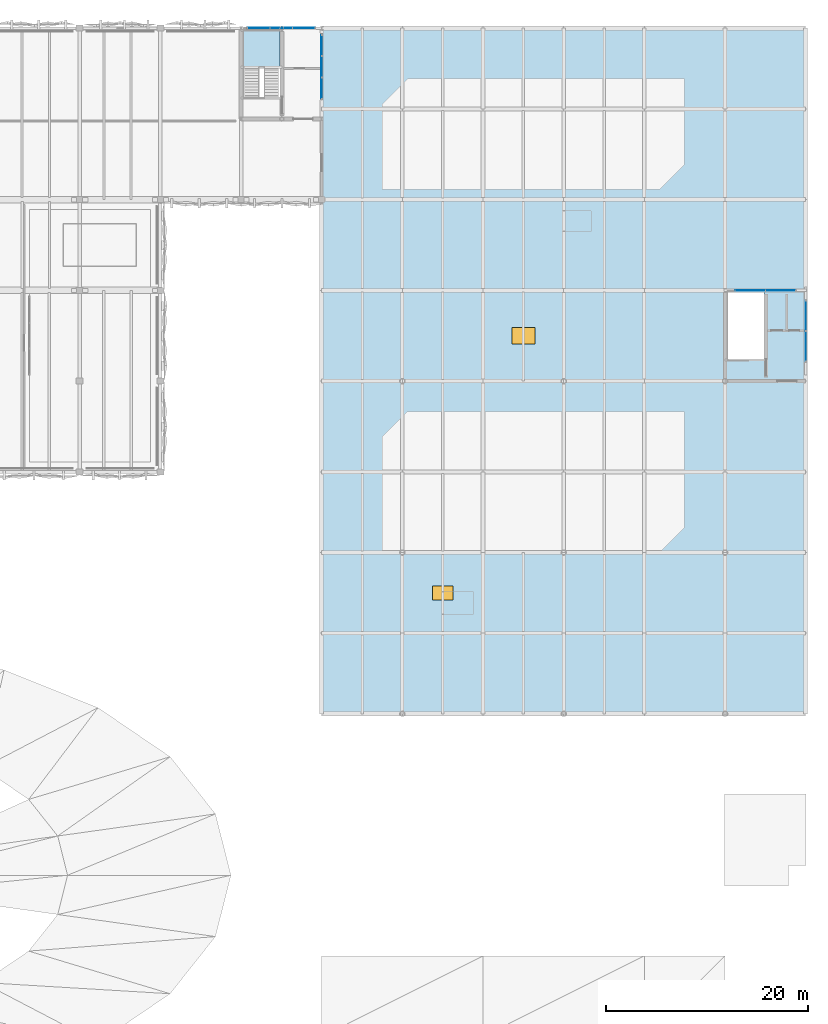
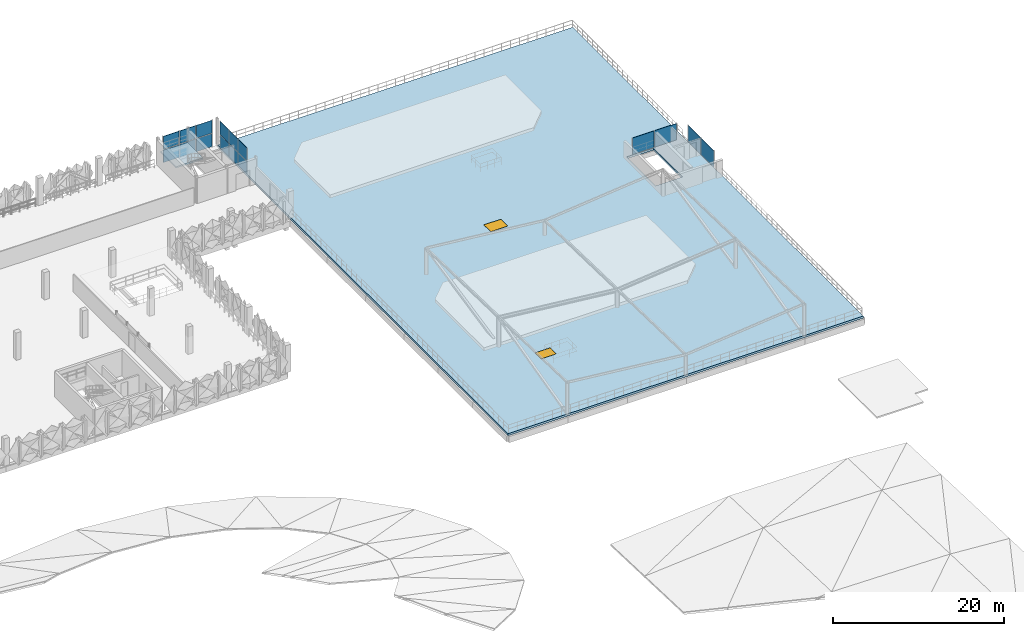
# One storey, part 23 of 52: 16 plates, 2 slabs, 2 windows, 2 openings, 5 elements without a shape of their own.
"""IFC4 building model written with IfcOpenShell, lengths in metres."""

from ifc_helpers import new_model, si_unit, derived_unit, direction, frame, origin, origin_2d, place, context, subcontext, project, spatial, polyline, rectangle, outline, extrude, material, layer, layer_set, type_object, element, fill, aggregate, save


model = new_model("IFC4")

# Units and contexts
model_context = context("Model", 3, precision=1e-05, world=origin(), true_north=direction((0.0, 1.0)))
body_context = subcontext(model_context, "Body", "Model", "MODEL_VIEW")
ifc_project = project(units=[si_unit("LENGTHUNIT", "METRE"), si_unit("AREAUNIT", "SQUARE_METRE"), si_unit("VOLUMEUNIT", "CUBIC_METRE"), si_unit("PLANEANGLEUNIT", "RADIAN"), si_unit("MASSUNIT", "GRAM", prefix="KILO"), si_unit("THERMODYNAMICTEMPERATUREUNIT", "KELVIN"), derived_unit("THERMALTRANSMITTANCEUNIT", [(si_unit("POWERUNIT", "WATT"), 1), (si_unit("AREAUNIT", "SQUARE_METRE"), -1), (si_unit("THERMODYNAMICTEMPERATUREUNIT", "KELVIN"), -1)])], contexts=[model_context])

# Site, building, storey
site_placement = place(None, origin())
site = spatial("IfcSite", under=ifc_project, at=site_placement, CompositionType="ELEMENT")
building_placement = place(site_placement, origin())
building = spatial("IfcBuilding", under=site, at=building_placement, Name="Haiyu Intermodal Mobility Hub", CompositionType="ELEMENT")
storey_placement = place(building_placement, frame((0.0, 0.0, 21.199951171875)))
storey = spatial("IfcBuildingStorey", under=building, at=storey_placement, Name="L05", CompositionType="ELEMENT", Elevation=21.199951171875)

# Curtain wall, plates
ifc_material_1 = material(Name="Low-e laminated insulating glass", Category="glass")
ifc_layer_1 = layer(ifc_material_1, 0.199951171875)
ifc_layer_set_1 = layer_set([ifc_layer_1], Name="Low-e laminated insulating glass")
curtain_wall_type = type_object("IfcCurtainWallType", Name="CW-CW03", PredefinedType="NOTDEFINED", material=ifc_layer_set_1)
curtain_wall_1_placement = place(storey_placement, origin())
curtain_wall_1 = element("IfcCurtainWall", 1, at=curtain_wall_1_placement, inside=storey, type_object=curtain_wall_type, Name="Curtain Wall CW-C4N-L05-073", PredefinedType="NOTDEFINED")
ifc_layer_2 = layer(ifc_material_1, 0.0400390625)
ifc_layer_set_2 = layer_set([ifc_layer_2], Name="Low-e laminated insulating glass")
plate_type_1 = type_object("IfcPlateType", Name="PLT-CP03", PredefinedType="CURTAIN_PANEL", material=ifc_layer_set_2)
plate_1_placement = place(storey_placement, frame((160.22705078125, 148.0, 0.03515625), z_axis=(0.0, 0.0, 1.0), x_axis=(-1.0, 0.0, 0.0)))
plate_1 = element("IfcPlate", 2, at=plate_1_placement, type_object=plate_type_1, Name="CW-C4N-L05-073-PN01", PredefinedType="CURTAIN_PANEL", context=body_context, shape_type="SweptSolid", body=[
    extrude(rectangle(XDim=2.136962890625, YDim=0.0400390625, at=origin_2d()), origin(), (0.0, 0.0, 1.0), 1.840087890625),
])
plate_2_placement = place(storey_placement, frame((158.0, 148.0, 0.03515625), z_axis=(0.0, 0.0, 1.0), x_axis=(-1.0, 0.0, 0.0)))
plate_2 = element("IfcPlate", 3, at=plate_2_placement, type_object=plate_type_1, Name="CW-C4N-L05-073-PN03", PredefinedType="CURTAIN_PANEL", context=body_context, shape_type="SweptSolid", body=[
    extrude(rectangle(XDim=2.136962890625, YDim=0.0400390625, at=origin_2d()), origin(), (0.0, 0.0, 1.0), 1.840087890625),
])
plate_3_placement = place(storey_placement, frame((155.77294921875, 148.0, 0.03515625), z_axis=(0.0, 0.0, 1.0), x_axis=(-1.0, 0.0, 0.0)))
plate_3 = element("IfcPlate", 4, at=plate_3_placement, type_object=plate_type_1, Name="CW-C4N-L05-073-PN05", PredefinedType="CURTAIN_PANEL", context=body_context, shape_type="SweptSolid", body=[
    extrude(rectangle(XDim=2.136962890625, YDim=0.0400390625, at=origin_2d()), origin(), (0.0, 0.0, 1.0), 1.840087890625),
])

curtain_wall_2_placement = place(storey_placement, origin())
curtain_wall_2 = element("IfcCurtainWall", 5, at=curtain_wall_2_placement, inside=storey, type_object=curtain_wall_type, Name="Curtain Wall CW-C4S-L05-074", PredefinedType="NOTDEFINED")
plate_4_placement = place(storey_placement, frame((162.0, 142.048095703125, 0.03515625), z_axis=(0.0, 0.0, 1.0), x_axis=(0.0, 1.0, 0.0)))
plate_4 = element("IfcPlate", 6, at=plate_4_placement, type_object=plate_type_1, Name="CW-C4S-L05-074-PN01", PredefinedType="CURTAIN_PANEL", context=body_context, shape_type="SweptSolid", body=[
    extrude(rectangle(XDim=2.027099609375, YDim=0.0400390625, at=origin_2d()), origin(), (0.0, 0.0, 1.0), 1.840087890625),
])
plate_5_placement = place(storey_placement, frame((162.0, 144.1650390625, 0.03515625), z_axis=(0.0, 0.0, 1.0), x_axis=(0.0, 1.0, 0.0)))
plate_5 = element("IfcPlate", 7, at=plate_5_placement, type_object=plate_type_1, Name="CW-C4S-L05-074-PN03", PredefinedType="CURTAIN_PANEL", context=body_context, shape_type="SweptSolid", body=[
    extrude(rectangle(XDim=2.027099609375, YDim=0.0400390625, at=origin_2d()), origin(), (0.0, 0.0, 1.0), 1.840087890625),
])
plate_6_placement = place(storey_placement, frame((162.0, 146.281982421875, 0.03515625), z_axis=(0.0, 0.0, 1.0), x_axis=(0.0, 1.0, 0.0)))
plate_6 = element("IfcPlate", 8, at=plate_6_placement, type_object=plate_type_1, Name="CW-C4S-L05-074-PN05", PredefinedType="CURTAIN_PANEL", context=body_context, shape_type="SweptSolid", body=[
    extrude(rectangle(XDim=2.027099609375, YDim=0.0400390625, at=origin_2d()), origin(), (0.0, 0.0, 1.0), 1.840087890625),
])

curtain_wall_3_placement = place(storey_placement, origin())
curtain_wall_3 = element("IfcCurtainWall", 9, at=curtain_wall_3_placement, inside=storey, type_object=curtain_wall_type, Name="Curtain Wall CW-CPAR-C10-E", PredefinedType="NOTDEFINED")
plate_7_placement = place(storey_placement, frame((210.0, 116.4580078125, 0.034423828125), z_axis=(0.0, 0.0, 1.0), x_axis=(0.0, 1.0, 0.0)))
plate_7 = element("IfcPlate", 10, at=plate_7_placement, type_object=plate_type_1, Name="CW-CPAR-C10-E-PN01", PredefinedType="CURTAIN_PANEL", context=body_context, shape_type="SweptSolid", body=[
    extrude(rectangle(XDim=2.945068359375, YDim=0.0400390625, at=origin_2d()), origin(), (0.0, 0.0, 1.0), 2.35107421875),
])
plate_8_placement = place(storey_placement, frame((210.0, 119.491943359375, 0.034423828125), z_axis=(0.0, 0.0, 1.0), x_axis=(0.0, 1.0, 0.0)))
plate_8 = element("IfcPlate", 11, at=plate_8_placement, type_object=plate_type_1, Name="CW-CPAR-C10-E-PN02", PredefinedType="CURTAIN_PANEL", context=body_context, shape_type="SweptSolid", body=[
    extrude(rectangle(XDim=2.945068359375, YDim=0.0400390625, at=origin_2d()), origin(), (0.0, 0.0, 1.0), 2.35107421875),
])
aggregate(curtain_wall_3, [plate_7, plate_8])

curtain_wall_4_placement = place(storey_placement, origin())
curtain_wall_4 = element("IfcCurtainWall", 12, at=curtain_wall_4_placement, inside=storey, type_object=curtain_wall_type, Name="Curtain Wall CW-CPAR-C10-N", PredefinedType="NOTDEFINED")
plate_9_placement = place(storey_placement, frame((207.5048828125, 122.0, 0.034423828125), z_axis=(0.0, 0.0, 1.0), x_axis=(-1.0, 0.0, 0.0)))
plate_9 = element("IfcPlate", 13, at=plate_9_placement, type_object=plate_type_1, Name="CW-CPAR-C10-N-PN01", PredefinedType="CURTAIN_PANEL", context=body_context, shape_type="SweptSolid", body=[
    extrude(rectangle(XDim=2.919921875, YDim=0.0400390625, at=origin_2d()), origin(), (0.0, 0.0, 1.0), 2.35107421875),
])
plate_10_placement = place(storey_placement, frame((204.4951171875, 122.0, 0.034423828125), z_axis=(0.0, 0.0, 1.0), x_axis=(-1.0, 0.0, 0.0)))
plate_10 = element("IfcPlate", 14, at=plate_10_placement, type_object=plate_type_1, Name="CW-CPAR-C10-N-PN02", PredefinedType="CURTAIN_PANEL", context=body_context, shape_type="SweptSolid", body=[
    extrude(rectangle(XDim=2.919921875, YDim=0.0400390625, at=origin_2d()), origin(), (0.0, 0.0, 1.0), 2.35107421875),
])
aggregate(curtain_wall_4, [plate_9, plate_10])

# Plate
ifc_layer_3 = layer(ifc_material_1, 0.0439453125)
ifc_layer_set_3 = layer_set([ifc_layer_3], Name="Low-e laminated insulating glass")
plate_type_2 = type_object("IfcPlateType", Name="PLT-CP04", PredefinedType="CURTAIN_PANEL", material=ifc_layer_set_3)
plate_11_placement = place(storey_placement, frame((160.22705078125, 148.0, 1.94482421875), z_axis=(0.0, 0.0, 1.0), x_axis=(-1.0, 0.0, 0.0)))
plate_11 = element("IfcPlate", 15, at=plate_11_placement, type_object=plate_type_2, Name="CW-C4N-L05-073-PN02", PredefinedType="CURTAIN_PANEL", context=body_context, shape_type="SweptSolid", body=[
    extrude(rectangle(XDim=2.136962890625, YDim=0.0439453125, at=origin_2d()), origin(), (0.0, 0.0, 1.0), 1.840087890625),
])

plate_12_placement = place(storey_placement, frame((158.0, 148.0, 1.94482421875), z_axis=(0.0, 0.0, 1.0), x_axis=(-1.0, 0.0, 0.0)))
plate_12 = element("IfcPlate", 16, at=plate_12_placement, type_object=plate_type_2, Name="CW-C4N-L05-073-PN04", PredefinedType="CURTAIN_PANEL", context=body_context, shape_type="SweptSolid", body=[
    extrude(rectangle(XDim=2.136962890625, YDim=0.0439453125, at=origin_2d()), origin(), (0.0, 0.0, 1.0), 1.840087890625),
])

plate_13_placement = place(storey_placement, frame((155.77294921875, 148.0, 1.94482421875), z_axis=(0.0, 0.0, 1.0), x_axis=(-1.0, 0.0, 0.0)))
plate_13 = element("IfcPlate", 17, at=plate_13_placement, type_object=plate_type_2, Name="CW-C4N-L05-073-PN06", PredefinedType="CURTAIN_PANEL", context=body_context, shape_type="SweptSolid", body=[
    extrude(rectangle(XDim=2.136962890625, YDim=0.0439453125, at=origin_2d()), origin(), (0.0, 0.0, 1.0), 1.840087890625),
])

aggregate(curtain_wall_1, [plate_1, plate_11, plate_2, plate_12, plate_3, plate_13])

plate_14_placement = place(storey_placement, frame((162.0, 142.048095703125, 1.94482421875), z_axis=(0.0, 0.0, 1.0), x_axis=(0.0, 1.0, 0.0)))
plate_14 = element("IfcPlate", 18, at=plate_14_placement, type_object=plate_type_2, Name="CW-C4S-L05-074-PN02", PredefinedType="CURTAIN_PANEL", context=body_context, shape_type="SweptSolid", body=[
    extrude(rectangle(XDim=2.027099609375, YDim=0.0439453125, at=origin_2d()), origin(), (0.0, 0.0, 1.0), 1.840087890625),
])

plate_15_placement = place(storey_placement, frame((162.0, 144.1650390625, 1.94482421875), z_axis=(0.0, 0.0, 1.0), x_axis=(0.0, 1.0, 0.0)))
plate_15 = element("IfcPlate", 19, at=plate_15_placement, type_object=plate_type_2, Name="CW-C4S-L05-074-PN04", PredefinedType="CURTAIN_PANEL", context=body_context, shape_type="SweptSolid", body=[
    extrude(rectangle(XDim=2.027099609375, YDim=0.0439453125, at=origin_2d()), origin(), (0.0, 0.0, 1.0), 1.840087890625),
])

plate_16_placement = place(storey_placement, frame((162.0, 146.281982421875, 1.94482421875), z_axis=(0.0, 0.0, 1.0), x_axis=(0.0, 1.0, 0.0)))
plate_16 = element("IfcPlate", 20, at=plate_16_placement, type_object=plate_type_2, Name="CW-C4S-L05-074-PN06", PredefinedType="CURTAIN_PANEL", context=body_context, shape_type="SweptSolid", body=[
    extrude(rectangle(XDim=2.027099609375, YDim=0.0439453125, at=origin_2d()), origin(), (0.0, 0.0, 1.0), 1.840087890625),
])

aggregate(curtain_wall_2, [plate_4, plate_14, plate_5, plate_15, plate_6, plate_16])

# Slab, openings, windows
ifc_material_2 = material(Name="Concrete C40", Category="concrete")
ifc_layer_4 = layer(ifc_material_2, 0.300048828125)
ifc_layer_set_4 = layer_set([ifc_layer_4], Name="Concrete C40")
slab_type_1 = type_object("IfcSlabType", Name="SLB-SL11", PredefinedType="ROOF", material=ifc_layer_set_4)
slab_1_placement = place(storey_placement, frame((0.0, 0.0, -0.300048828125)))
slab_1 = element("IfcSlab", 21, at=slab_1_placement, inside=storey, type_object=slab_type_1, Name="L05 Service Wing Planted Roof Garden Slab", PredefinedType="ROOF", context=body_context, shape_type="SweptSolid", body=[
    extrude(outline(polyline([(162.02001953125, 80.02001953125), (210.0, 80.02001953125), (210.0, 148.0), (168.0, 148.0), (162.02001953125, 148.0), (162.02001953125, 80.02001953125)]), holes=[polyline([(202.219970703125, 115.14990234375), (205.85009765625, 115.14990234375), (205.85009765625, 121.949951171875), (202.219970703125, 121.949951171875), (202.219970703125, 115.14990234375)]), polyline([(173.0, 91.300048828125), (175.0, 91.300048828125), (175.0, 92.699951171875), (173.0, 92.699951171875), (173.0, 91.300048828125)]), polyline([(180.85009765625, 116.699951171875), (183.14990234375, 116.699951171875), (183.14990234375, 118.300048828125), (180.85009765625, 118.300048828125), (180.85009765625, 116.699951171875)])]), origin(), (0.0, 0.0, 1.0), 0.300048828125),
])
opening_1_placement = place(slab_1_placement, frame((174.0, 92.0, 0.0)))
opening_1 = element("IfcOpeningElement", 22, at=opening_1_placement, cuts=slab_1, Name="Opening SK03", PredefinedType="OPENING", context=body_context, shape_type="SweptSolid", body=[
    extrude(rectangle(XDim=2.0, YDim=1.39990234375, at=origin_2d()), frame((0.0, 0.0, -0.010009765625)), (0.0, 0.0, 1.0), 0.320068359375),
])
opening_2_placement = place(slab_1_placement, frame((182.0, 117.5, 0.0)))
opening_2 = element("IfcOpeningElement", 23, at=opening_2_placement, cuts=slab_1, Name="Opening SK05", PredefinedType="OPENING", context=body_context, shape_type="SweptSolid", body=[
    extrude(rectangle(XDim=2.300048828125, YDim=1.60009765625, at=origin_2d()), frame((0.0, 0.0, -0.010009765625)), (0.0, 0.0, 1.0), 0.320068359375),
])
window_type_1 = type_object("IfcWindowType", Name="WIN-SK03", PartitioningType="SINGLE_PANEL", PredefinedType="SKYLIGHT", material=ifc_material_1)
window_1_placement = place(opening_1_placement, frame((0.0, 0.0, 0.25)))
window_1 = element("IfcWindow", 24, at=window_1_placement, inside=storey, type_object=window_type_1, Name="SKL-04", OverallHeight=1.39990234375, OverallWidth=2.0, PartitioningType="SINGLE_PANEL", PredefinedType="SKYLIGHT", context=body_context, shape_type="SweptSolid", body=[
    extrude(rectangle(XDim=2.0, YDim=1.39990234375, at=origin_2d()), origin(), (0.0, 0.0, 1.0), 0.050048828125),
])
fill(opening_1, window_1)
window_type_2 = type_object("IfcWindowType", Name="WIN-SK05", PartitioningType="SINGLE_PANEL", PredefinedType="SKYLIGHT", material=ifc_material_1)
window_2_placement = place(opening_2_placement, frame((0.0, 0.0, 0.25)))
window_2 = element("IfcWindow", 25, at=window_2_placement, inside=storey, type_object=window_type_2, Name="SKL-05", OverallHeight=1.60009765625, OverallWidth=2.300048828125, PartitioningType="SINGLE_PANEL", PredefinedType="SKYLIGHT", context=body_context, shape_type="SweptSolid", body=[
    extrude(rectangle(XDim=2.300048828125, YDim=1.60009765625, at=origin_2d()), origin(), (0.0, 0.0, 1.0), 0.050048828125),
])
fill(opening_2, window_2)

# Stair, slab
stair_type = type_object("IfcStairType", Name="STR-ST03", PredefinedType="HALF_TURN_STAIR", material=ifc_material_2)
stair_placement = place(storey_placement, origin())
stair = element("IfcStair", 26, at=stair_placement, inside=storey, type_object=stair_type, Name="Exit Stair ST02 L05", PredefinedType="HALF_TURN_STAIR")
ifc_layer_5 = layer(ifc_material_2, 0.2099609375)
ifc_layer_set_5 = layer_set([ifc_layer_5], Name="Concrete C40")
slab_type_2 = type_object("IfcSlabType", Name="SLB-SL13", PredefinedType="LANDING", material=ifc_layer_set_5)
slab_2_placement = place(storey_placement, frame((0.0, 0.0, 1.739990234375)))
slab_2 = element("IfcSlab", 27, at=slab_2_placement, type_object=slab_type_2, Name="Stair Half-Landing STR-C4-L05-LND", PredefinedType="LANDING", context=body_context, shape_type="SweptSolid", body=[
    extrude(outline(polyline([(154.219970703125, 144.1298828125), (157.8701171875, 144.1298828125), (157.8701171875, 147.780029296875), (154.219970703125, 147.780029296875), (154.219970703125, 144.1298828125)])), origin(), (0.0, 0.0, 1.0), 0.2099609375),
])
aggregate(stair, [slab_2])

save(model, "model.ifc")
